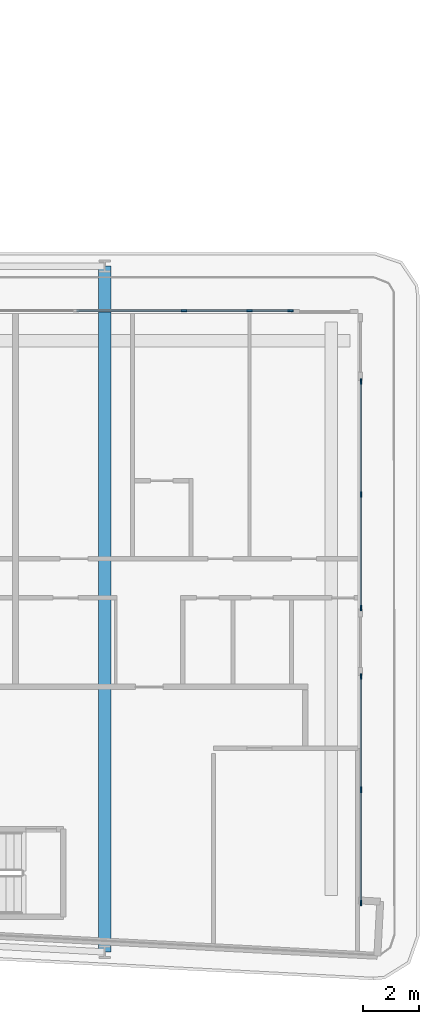
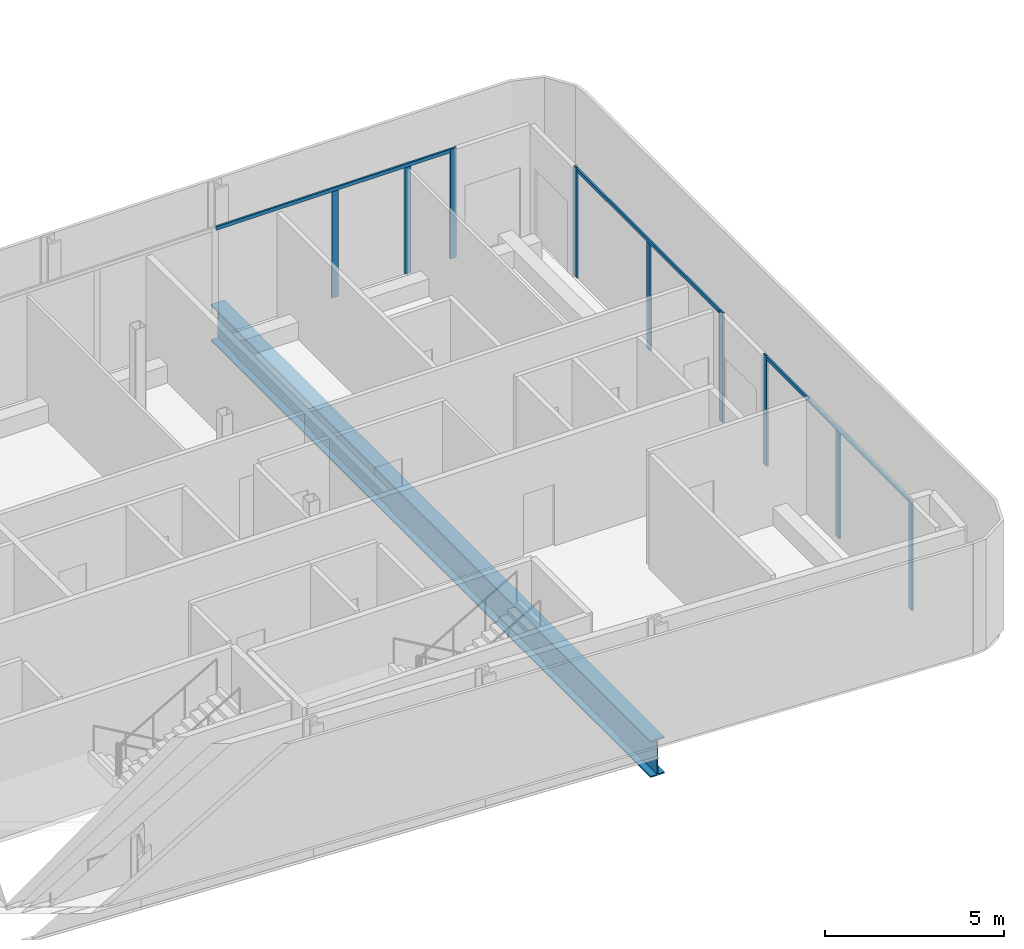
# One storey, part 8 of 27: 12 members, 1 beam, 3 elements without a shape of their own.
"""IFC4 building model written with IfcOpenShell, lengths in metres."""

from ifc_helpers import new_model, si_unit, direction, frame, origin, origin_2d, place, context, subcontext, project, spatial, rectangle, i_section, extrude, material, layer, layer_set, material_profile, profile_set, type_object, element, aggregate, save


model = new_model("IFC4")

# Units and contexts
model_context = context("Model", 3, precision=1e-05, world=origin(), true_north=direction((0.0, 1.0)))
body_context = subcontext(model_context, "Body", "Model", "MODEL_VIEW")
ifc_project = project(units=[si_unit("LENGTHUNIT", "METRE"), si_unit("AREAUNIT", "SQUARE_METRE"), si_unit("VOLUMEUNIT", "CUBIC_METRE"), si_unit("PLANEANGLEUNIT", "RADIAN"), si_unit("MASSUNIT", "GRAM", prefix="KILO")], contexts=[model_context])

# Site, building, storey
site_placement = place(None, origin())
site = spatial("IfcSite", under=ifc_project, at=site_placement, CompositionType="ELEMENT")
building_placement = place(site_placement, origin())
building = spatial("IfcBuilding", under=site, at=building_placement, Name="Kheshtan School and Residences Tower", CompositionType="ELEMENT")
storey_placement = place(building_placement, frame((0.0, 0.0, 101.89990234375)))
storey = spatial("IfcBuildingStorey", under=building, at=storey_placement, Name="L23", CompositionType="ELEMENT", Elevation=101.89990234375)

# Curtain wall, members
ifc_material_1 = material(Name="Clear low-e glass in thermally broken aluminium frame", Category="aluminium")
ifc_layer = layer(ifc_material_1, 0.199951171875)
ifc_layer_set = layer_set([ifc_layer], Name="Curtain wall CW-L")
curtain_wall_type = type_object("IfcCurtainWallType", Name="Curtain wall CW-L", PredefinedType="NOTDEFINED", material=ifc_layer_set)
curtain_wall_1_placement = place(storey_placement, origin())
curtain_wall_1 = element("IfcCurtainWall", 1, at=curtain_wall_1_placement, inside=storey, type_object=curtain_wall_type, Name="Curtain wall CWL8c", PredefinedType="NOTDEFINED")
ifc_material_2 = material(Name="Thermally broken aluminium, dark bronze anodised", Category="aluminium")
ifc_material_profile_1 = material_profile(ifc_material_2, rectangle(XDim=0.06005859375, YDim=0.199951171875, at=origin_2d()), Name="CW-L mullion 60x200")
ifc_profile_set_1 = profile_set([ifc_material_profile_1], Name="Thermally broken aluminium, dark bronze anodised")
member_type_1 = type_object("IfcMemberType", Name="CW-L mullion 60x200", PredefinedType="MULLION", material=ifc_profile_set_1)
member_1_placement = place(storey_placement, frame((93.653076171875, 44.0, 0.0), z_axis=(0.0, 0.0, 1.0), x_axis=(0.0, 1.0, 0.0)))
member_1 = element("IfcMember", 2, at=member_1_placement, type_object=member_type_1, Name="CWL8c mullion 2", PredefinedType="MULLION", context=body_context, shape_type="SweptSolid", body=[
    extrude(rectangle(XDim=0.06005859375, YDim=0.199951171875, at=origin_2d()), origin(), (0.0, 0.0, 1.0), 3.630126953125),
])
member_2_placement = place(storey_placement, frame((96.0, 44.0, 0.0), z_axis=(0.0, 0.0, 1.0), x_axis=(0.0, 1.0, 0.0)))
member_2 = element("IfcMember", 3, at=member_2_placement, type_object=member_type_1, Name="CWL8c mullion 3", PredefinedType="MULLION", context=body_context, shape_type="SweptSolid", body=[
    extrude(rectangle(XDim=0.06005859375, YDim=0.199951171875, at=origin_2d()), origin(), (0.0, 0.0, 1.0), 3.630126953125),
])
member_3_placement = place(storey_placement, frame((97.469970703125, 44.0, 0.0), z_axis=(0.0, 0.0, 1.0), x_axis=(0.0, 1.0, 0.0)))
member_3 = element("IfcMember", 4, at=member_3_placement, type_object=member_type_1, Name="CWL8c mullion 4", PredefinedType="MULLION", context=body_context, shape_type="SweptSolid", body=[
    extrude(rectangle(XDim=0.06005859375, YDim=0.199951171875, at=origin_2d()), origin(), (0.0, 0.0, 1.0), 3.75),
])

curtain_wall_2_placement = place(storey_placement, origin())
curtain_wall_2 = element("IfcCurtainWall", 5, at=curtain_wall_2_placement, inside=storey, type_object=curtain_wall_type, Name="Curtain wall CWL9", PredefinedType="NOTDEFINED")
member_4_placement = place(storey_placement, frame((100.0, 41.469970703125, 0.0), z_axis=(0.0, 0.0, 1.0), x_axis=(1.0, 0.0, 0.0)))
member_4 = element("IfcMember", 6, at=member_4_placement, type_object=member_type_1, Name="CWL9 mullion 1", PredefinedType="MULLION", context=body_context, shape_type="SweptSolid", body=[
    extrude(rectangle(XDim=0.06005859375, YDim=0.199951171875, at=origin_2d()), origin(), (0.0, 0.0, 1.0), 3.75),
])
member_5_placement = place(storey_placement, frame((100.0, 37.403564453125, 0.0), z_axis=(0.0, 0.0, 1.0), x_axis=(1.0, 0.0, 0.0)))
member_5 = element("IfcMember", 7, at=member_5_placement, type_object=member_type_1, Name="CWL9 mullion 2", PredefinedType="MULLION", context=body_context, shape_type="SweptSolid", body=[
    extrude(rectangle(XDim=0.06005859375, YDim=0.199951171875, at=origin_2d()), origin(), (0.0, 0.0, 1.0), 3.630126953125),
])
member_6_placement = place(storey_placement, frame((100.0, 33.3369140625, 0.0), z_axis=(0.0, 0.0, 1.0), x_axis=(1.0, 0.0, 0.0)))
member_6 = element("IfcMember", 8, at=member_6_placement, type_object=member_type_1, Name="CWL9 mullion 3", PredefinedType="MULLION", context=body_context, shape_type="SweptSolid", body=[
    extrude(rectangle(XDim=0.06005859375, YDim=0.199951171875, at=origin_2d()), origin(), (0.0, 0.0, 1.0), 3.75),
])

curtain_wall_3_placement = place(storey_placement, origin())
curtain_wall_3 = element("IfcCurtainWall", 9, at=curtain_wall_3_placement, inside=storey, type_object=curtain_wall_type, Name="Curtain wall CWL9", PredefinedType="NOTDEFINED")
member_7_placement = place(storey_placement, frame((100.0, 30.876953125, 0.0), z_axis=(0.0, 0.0, 1.0), x_axis=(1.0, 0.0, 0.0)))
member_7 = element("IfcMember", 10, at=member_7_placement, type_object=member_type_1, Name="CWL9 mullion 1", PredefinedType="MULLION", context=body_context, shape_type="SweptSolid", body=[
    extrude(rectangle(XDim=0.06005859375, YDim=0.199951171875, at=origin_2d()), origin(), (0.0, 0.0, 1.0), 3.75),
])
member_8_placement = place(storey_placement, frame((100.0, 26.810546875, 0.0), z_axis=(0.0, 0.0, 1.0), x_axis=(1.0, 0.0, 0.0)))
member_8 = element("IfcMember", 11, at=member_8_placement, type_object=member_type_1, Name="CWL9 mullion 2", PredefinedType="MULLION", context=body_context, shape_type="SweptSolid", body=[
    extrude(rectangle(XDim=0.06005859375, YDim=0.199951171875, at=origin_2d()), origin(), (0.0, 0.0, 1.0), 3.630126953125),
])
member_9_placement = place(storey_placement, frame((100.0, 22.743896484375, 0.0), z_axis=(0.0, 0.0, 1.0), x_axis=(1.0, 0.0, 0.0)))
member_9 = element("IfcMember", 12, at=member_9_placement, type_object=member_type_1, Name="CWL9 mullion 3", PredefinedType="MULLION", context=body_context, shape_type="SweptSolid", body=[
    extrude(rectangle(XDim=0.06005859375, YDim=0.199951171875, at=origin_2d()), origin(), (0.0, 0.0, 1.0), 3.75),
])

# Member
ifc_material_profile_2 = material_profile(ifc_material_2, rectangle(XDim=0.06005859375, YDim=0.1201171875, at=origin_2d()), Name="CW-L transom 60x120")
ifc_profile_set_2 = profile_set([ifc_material_profile_2], Name="Thermally broken aluminium, dark bronze anodised")
member_type_2 = type_object("IfcMemberType", Name="CW-L transom 60x120", PredefinedType="USERDEFINED", material=ifc_profile_set_2)
member_10_placement = place(storey_placement, frame((89.805908203125, 44.0, 3.690185546875), z_axis=(1.0, 0.0, 0.0), x_axis=(0.0, 1.0, 0.0)))
member_10 = element("IfcMember", 13, at=member_10_placement, type_object=member_type_2, Name="CWL8c transom 1", ObjectType="TRANSOM", PredefinedType="USERDEFINED", context=body_context, shape_type="SweptSolid", body=[
    extrude(rectangle(XDim=0.06005859375, YDim=0.1201171875, at=origin_2d()), origin(), (0.0, 0.0, 1.0), 7.634033203125),
])

aggregate(curtain_wall_1, [member_1, member_2, member_3, member_10])

member_11_placement = place(storey_placement, frame((100.0, 41.43994140625, 3.690185546875), z_axis=(0.0, -1.0, 0.0), x_axis=(1.0, 0.0, 0.0)))
member_11 = element("IfcMember", 14, at=member_11_placement, type_object=member_type_2, Name="CWL9 transom 1", ObjectType="TRANSOM", PredefinedType="USERDEFINED", context=body_context, shape_type="SweptSolid", body=[
    extrude(rectangle(XDim=0.06005859375, YDim=0.1201171875, at=origin_2d()), origin(), (0.0, 0.0, 1.0), 8.072998046875),
])

aggregate(curtain_wall_2, [member_4, member_5, member_6, member_11])

member_12_placement = place(storey_placement, frame((100.0, 30.846923828125, 3.690185546875), z_axis=(0.0, -1.0, 0.0), x_axis=(1.0, 0.0, 0.0)))
member_12 = element("IfcMember", 15, at=member_12_placement, type_object=member_type_2, Name="CWL9 transom 1", ObjectType="TRANSOM", PredefinedType="USERDEFINED", context=body_context, shape_type="SweptSolid", body=[
    extrude(rectangle(XDim=0.06005859375, YDim=0.1201171875, at=origin_2d()), origin(), (0.0, 0.0, 1.0), 8.072998046875),
])

aggregate(curtain_wall_3, [member_7, member_8, member_9, member_12])

# Beam
ifc_material_3 = material(Name="Steel ASTM A992 Grade 50", Category="steel")
ifc_material_profile_3 = material_profile(ifc_material_3, i_section(OverallWidth=0.449951171875, OverallDepth=1.25, WebThickness=0.02490234375, FlangeThickness=0.044921875, FilletRadius=0.03759765625, at=origin_2d()), Name="WWF1250x546")
ifc_profile_set_3 = profile_set([ifc_material_profile_3], Name="Steel ASTM A992 Grade 50")
beam_type = type_object("IfcBeamType", Name="Transfer girder TG4 WWF1250x546 ASTM A992 Grade 50", PredefinedType="BEAM", material=ifc_profile_set_3)
beam_placement = place(storey_placement, frame((90.800048828125, 45.60009765625, -0.77490234375), z_axis=(0.0, -1.0, 0.0), x_axis=(1.0, 0.0, 0.0)))
element("IfcBeam", 16, at=beam_placement, inside=storey, type_object=beam_type, Name="Transfer girder C068-C006", PredefinedType="BEAM", context=body_context, shape_type="SweptSolid", body=[
    extrude(i_section(OverallWidth=0.449951171875, OverallDepth=1.25, WebThickness=0.02490234375, FlangeThickness=0.044921875, FilletRadius=0.03759765625, at=origin_2d()), origin(), (0.0, 0.0, 1.0), 24.610107421875),
])

save(model, "model.ifc")
